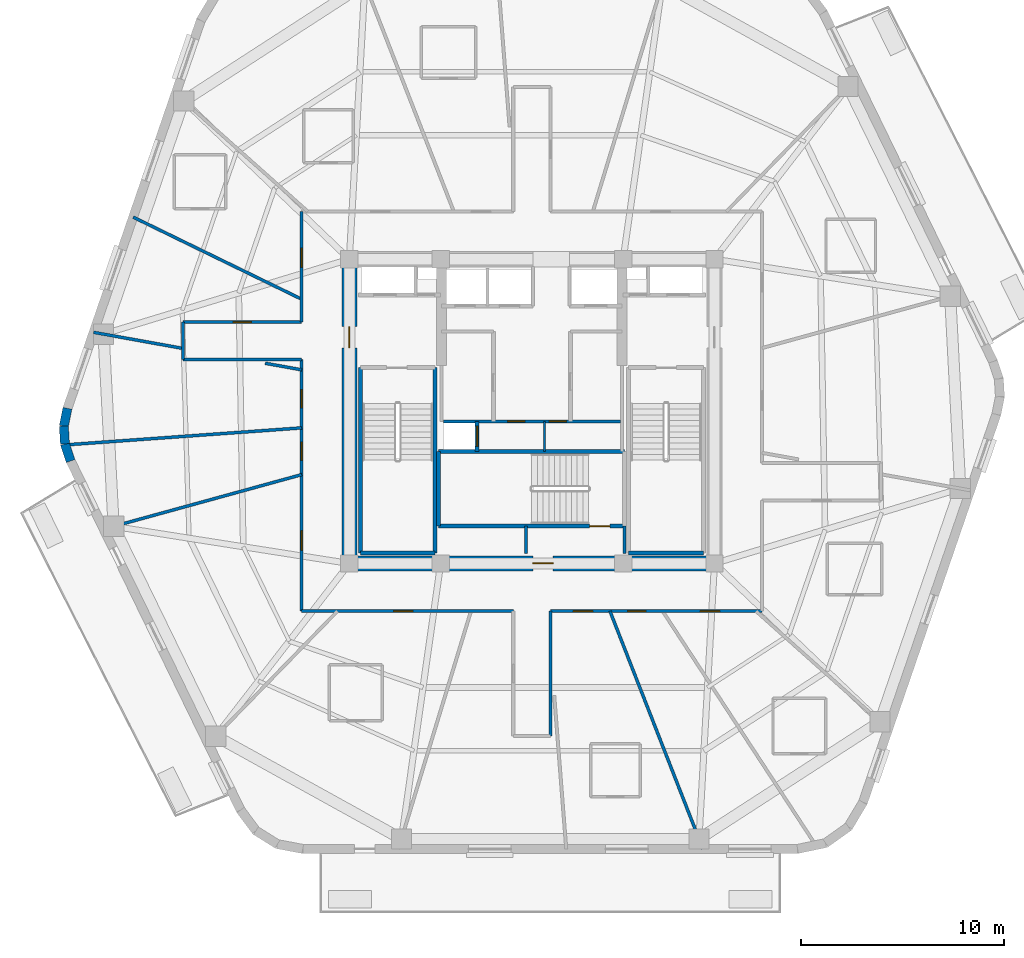
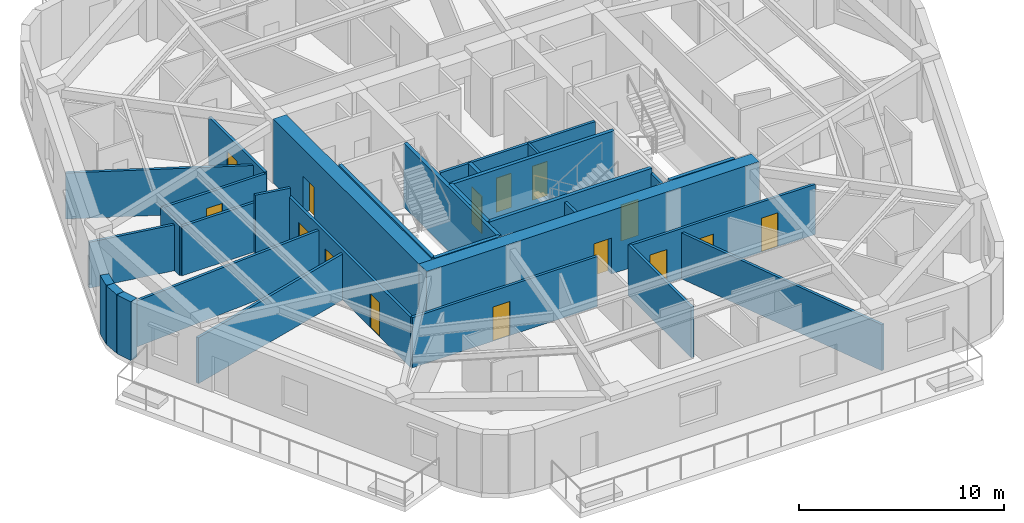
# One storey, part 3 of 10: 31 walls, 15 doors, 15 openings.
"""IFC4 building model written with IfcOpenShell, lengths in metres."""

from ifc_helpers import new_model, si_unit, direction, frame, frame_2d, origin, place, context, subcontext, project, spatial, rectangle, extrude, material, layer, layer_set, type_object, element, fill, save


model = new_model("IFC4")

# Units and contexts
model_context = context("Model", 3, precision=1e-05, world=origin(), true_north=direction((0.0, 1.0)))
body_context = subcontext(model_context, "Body", "Model", "MODEL_VIEW")
ifc_project = project(units=[si_unit("LENGTHUNIT", "METRE"), si_unit("AREAUNIT", "SQUARE_METRE"), si_unit("VOLUMEUNIT", "CUBIC_METRE"), si_unit("PLANEANGLEUNIT", "RADIAN"), si_unit("MASSUNIT", "GRAM", prefix="KILO")], contexts=[model_context])

# Site, building, storey
site_placement = place(None, origin())
site = spatial("IfcSite", under=ifc_project, at=site_placement, CompositionType="ELEMENT")
building_placement = place(site_placement, origin())
building = spatial("IfcBuilding", under=site, at=building_placement, Name="Kilnhurst Terrace Hotel", CompositionType="ELEMENT")
storey_placement = place(building_placement, frame((0.0, 0.0, 214.10009765625)))
storey = spatial("IfcBuildingStorey", under=building, at=storey_placement, Name="L53", CompositionType="ELEMENT", Elevation=214.10009765625)

# Walls
ifc_material_1 = material(Name="Precast concrete C40/50", Category="concrete")
ifc_layer_1 = layer(ifc_material_1, 0.449951171875, Name="Precast concrete C40/50")
ifc_layer_set_1 = layer_set([ifc_layer_1], Name="Precast concrete C40/50")
wall_type_1 = type_object("IfcWallType", Name="WL-BRK-450", PredefinedType="SOLIDWALL", material=ifc_layer_set_1)
wall_1_placement = place(storey_placement, frame((-22.8984375, 0.149658203125, 0.0), z_axis=(0.0, 0.0, 1.0), x_axis=(-0.199055826889, -0.979988151858, 0.0)))
element("IfcWall", 1, at=wall_1_placement, inside=storey, type_object=wall_type_1, Name="L53 Rounded Corner Brick Wall C6.1", PredefinedType="SOLIDWALL", context=body_context, shape_type="SweptSolid", body=[
    extrude(rectangle(XDim=0.89404296875, YDim=0.449951171875, at=frame_2d((0.447021484375, 0.0))), origin(), (0.0, 0.0, 1.0), 3.5),
])
wall_2_placement = place(storey_placement, frame((-23.076416015625, -0.7265625, 0.0), z_axis=(0.0, 0.0, 1.0), x_axis=(0.060805222108, -0.998149650586, 0.0)))
element("IfcWall", 2, at=wall_2_placement, inside=storey, type_object=wall_type_1, Name="L53 Rounded Corner Brick Wall C6.2", PredefinedType="SOLIDWALL", context=body_context, shape_type="SweptSolid", body=[
    extrude(rectangle(XDim=0.87939453125, YDim=0.449951171875, at=frame_2d((0.439697265625, 0.0))), origin(), (0.0, 0.0, 1.0), 3.5),
])
wall_3_placement = place(storey_placement, frame((-23.02294921875, -1.604248046875, 0.0), z_axis=(0.0, 0.0, 1.0), x_axis=(0.316801227695, -0.948491951537, 0.0)))
element("IfcWall", 3, at=wall_3_placement, inside=storey, type_object=wall_type_1, Name="L53 Rounded Corner Brick Wall C6.3", PredefinedType="SOLIDWALL", context=body_context, shape_type="SweptSolid", body=[
    extrude(rectangle(XDim=0.89404296875, YDim=0.449951171875, at=frame_2d((0.447021484375, 0.0))), origin(), (0.0, 0.0, 1.0), 3.5),
])

# Wall, openings, doors
ifc_material_2 = material(Name="Acoustic Double-Gypsum Corridor Partition Assembly")
ifc_layer_2 = layer(ifc_material_2, 0.14990234375, Name="Acoustic Double-Gypsum Corridor Partition Assembly")
ifc_layer_set_2 = layer_set([ifc_layer_2], Name="Acoustic Double-Gypsum Corridor Partition Assembly")
wall_type_2 = type_object("IfcWallType", Name="WL-COR-150", PredefinedType="PARTITIONING", material=ifc_layer_set_2)
wall_4_placement = place(storey_placement, frame((-11.35009765625, -9.85009765625, 0.0), z_axis=(0.0, 0.0, 1.0), x_axis=(0.0, 1.0, 0.0)))
wall_4 = element("IfcWall", 4, at=wall_4_placement, inside=storey, type_object=wall_type_2, Name="L53 Interior Wall WL-L53-COR-01", PredefinedType="PARTITIONING", context=body_context, shape_type="SweptSolid", body=[
    extrude(rectangle(XDim=12.400146484375, YDim=0.14990234375, at=frame_2d((6.2001953125, 0.0))), origin(), (0.0, 0.0, 1.0), 2.989990234375),
])
opening_1_placement = place(wall_4_placement, frame((10.01708984375, 0.0, 0.0)))
opening_1 = element("IfcOpeningElement", 5, at=opening_1_placement, cuts=wall_4, Name="Opening D-60C", PredefinedType="OPENING", context=body_context, shape_type="SweptSolid", body=[
    extrude(rectangle(XDim=0.89990234375, YDim=2.030029296875, at=frame_2d((0.449951171875, 1.01513671875))), frame((0.0, 0.0849609375, 0.0), z_axis=(0.0, -1.0, 0.0), x_axis=(1.0, 0.0, 0.0)), (0.0, 0.0, 1.0), 0.169921875),
])
opening_2_placement = place(wall_4_placement, frame((7.427001953125, 0.0, 0.0)))
opening_2 = element("IfcOpeningElement", 6, at=opening_2_placement, cuts=wall_4, Name="Opening D-60C", PredefinedType="OPENING", context=body_context, shape_type="SweptSolid", body=[
    extrude(rectangle(XDim=0.89990234375, YDim=2.030029296875, at=frame_2d((0.449951171875, 1.01513671875))), frame((0.0, 0.0849609375, 0.0), z_axis=(0.0, -1.0, 0.0), x_axis=(1.0, 0.0, 0.0)), (0.0, 0.0, 1.0), 0.169921875),
])
opening_3_placement = place(wall_4_placement, frame((3.010009765625, 0.0, 0.0)))
opening_3 = element("IfcOpeningElement", 7, at=opening_3_placement, cuts=wall_4, Name="Opening D-60B", PredefinedType="OPENING", context=body_context, shape_type="SweptSolid", body=[
    extrude(rectangle(XDim=0.949951171875, YDim=2.030029296875, at=frame_2d((0.47509765625, 1.01513671875))), frame((0.0, 0.0849609375, 0.0), z_axis=(0.0, -1.0, 0.0), x_axis=(1.0, 0.0, 0.0)), (0.0, 0.0, 1.0), 0.169921875),
])
ifc_material_3 = material(Name="Painted Solid-Core Service Fire Door")
door_type_1 = type_object("IfcDoorType", Name="DR-FD60-900", OperationType="NOTDEFINED", PredefinedType="DOOR", material=ifc_material_3)
door_1_placement = place(opening_1_placement, origin())
door_1 = element("IfcDoor", 8, at=door_1_placement, inside=storey, type_object=door_type_1, Name="L53 Botanical Reading Lounge Door 8", OperationType="SINGLE_SWING_RIGHT", OverallHeight=2.030029296875, OverallWidth=0.89990234375, PredefinedType="DOOR", context=body_context, shape_type="SweptSolid", body=[
    extrude(rectangle(XDim=0.89990234375, YDim=2.030029296875, at=frame_2d((0.449951171875, 1.01513671875))), frame((0.0, 0.02490234375, 0.0), z_axis=(0.0, -1.0, 0.0), x_axis=(1.0, 0.0, 0.0)), (0.0, 0.0, 1.0), 0.050048828125),
])
fill(opening_1, door_1)
door_2_placement = place(opening_2_placement, origin())
door_2 = element("IfcDoor", 9, at=door_2_placement, inside=storey, type_object=door_type_1, Name="L53 Private Meeting Salon Door 9", OperationType="SINGLE_SWING_LEFT", OverallHeight=2.030029296875, OverallWidth=0.89990234375, PredefinedType="DOOR", context=body_context, shape_type="SweptSolid", body=[
    extrude(rectangle(XDim=0.89990234375, YDim=2.030029296875, at=frame_2d((0.449951171875, 1.01513671875))), frame((0.0, 0.02490234375, 0.0), z_axis=(0.0, -1.0, 0.0), x_axis=(1.0, 0.0, 0.0)), (0.0, 0.0, 1.0), 0.050048828125),
])
fill(opening_2, door_2)
ifc_material_4 = material(Name="Acoustic Walnut Veneer Solid-Core Fire Door")
door_type_2 = type_object("IfcDoorType", Name="DR-FD60-950", OperationType="NOTDEFINED", PredefinedType="DOOR", material=ifc_material_4)
door_3_placement = place(opening_3_placement, origin())
door_3 = element("IfcDoor", 10, at=door_3_placement, inside=storey, type_object=door_type_2, Name="L53 Wellness Treatment Suite Door", OperationType="SINGLE_SWING_RIGHT", OverallHeight=2.030029296875, OverallWidth=0.949951171875, PredefinedType="DOOR", context=body_context, shape_type="SweptSolid", body=[
    extrude(rectangle(XDim=0.949951171875, YDim=2.030029296875, at=frame_2d((0.47509765625, 1.01513671875))), frame((0.0, 0.02490234375, 0.0), z_axis=(0.0, -1.0, 0.0), x_axis=(1.0, 0.0, 0.0)), (0.0, 0.0, 1.0), 0.050048828125),
])
fill(opening_3, door_3)

# Walls
wall_5_placement = place(storey_placement, frame((-11.35009765625, 2.550048828125, 0.0), z_axis=(0.0, 0.0, 1.0), x_axis=(-1.0, 0.0, 0.0)))
element("IfcWall", 11, at=wall_5_placement, inside=storey, type_object=wall_type_2, Name="L53 Interior Wall WL-L53-COR-02", PredefinedType="PARTITIONING", context=body_context, shape_type="SweptSolid", body=[
    extrude(rectangle(XDim=5.849853515625, YDim=0.14990234375, at=frame_2d((2.9248046875, 0.0))), origin(), (0.0, 0.0, 1.0), 2.940185546875),
])
wall_6_placement = place(storey_placement, frame((-17.199951171875, 2.550048828125, 0.0), z_axis=(0.0, 0.0, 1.0), x_axis=(0.0, 1.0, 0.0)))
element("IfcWall", 12, at=wall_6_placement, inside=storey, type_object=wall_type_2, Name="L53 Interior Wall WL-L53-COR-03", PredefinedType="PARTITIONING", context=body_context, shape_type="SweptSolid", body=[
    extrude(rectangle(XDim=1.849853515625, YDim=0.14990234375, at=frame_2d((0.9248046875, 0.0))), origin(), (0.0, 0.0, 1.0), 2.940185546875),
])

# Wall, opening, door
wall_7_placement = place(storey_placement, frame((-17.199951171875, 4.39990234375, 0.0), z_axis=(0.0, 0.0, 1.0), x_axis=(1.0, 0.0, 0.0)))
wall_7 = element("IfcWall", 13, at=wall_7_placement, inside=storey, type_object=wall_type_2, Name="L53 Interior Wall WL-L53-COR-04", PredefinedType="PARTITIONING", context=body_context, shape_type="SweptSolid", body=[
    extrude(rectangle(XDim=5.849853515625, YDim=0.14990234375, at=frame_2d((2.9248046875, 0.0))), origin(), (0.0, 0.0, 1.0), 2.940185546875),
])
opening_4_placement = place(wall_7_placement, frame((2.47509765625, 0.0, 0.0)))
opening_4 = element("IfcOpeningElement", 14, at=opening_4_placement, cuts=wall_7, Name="Opening D-60C", PredefinedType="OPENING", context=body_context, shape_type="SweptSolid", body=[
    extrude(rectangle(XDim=0.89990234375, YDim=2.030029296875, at=frame_2d((0.449951171875, 1.01513671875))), frame((0.0, 0.0849609375, 0.0), z_axis=(0.0, -1.0, 0.0), x_axis=(1.0, 0.0, 0.0)), (0.0, 0.0, 1.0), 0.169921875),
])
door_4_placement = place(opening_4_placement, origin())
door_4 = element("IfcDoor", 15, at=door_4_placement, inside=storey, type_object=door_type_1, Name="L53 Executive Work Office Door 7", OperationType="SINGLE_SWING_LEFT", OverallHeight=2.030029296875, OverallWidth=0.89990234375, PredefinedType="DOOR", context=body_context, shape_type="SweptSolid", body=[
    extrude(rectangle(XDim=0.89990234375, YDim=2.030029296875, at=frame_2d((0.449951171875, 1.01513671875))), frame((0.0, 0.02490234375, 0.0), z_axis=(0.0, -1.0, 0.0), x_axis=(1.0, 0.0, 0.0)), (0.0, 0.0, 1.0), 0.050048828125),
])
fill(opening_4, door_4)

wall_8_placement = place(storey_placement, frame((-11.35009765625, 4.39990234375, 0.0), z_axis=(0.0, 0.0, 1.0), x_axis=(0.0, 1.0, 0.0)))
wall_8 = element("IfcWall", 16, at=wall_8_placement, inside=storey, type_object=wall_type_2, Name="L53 Interior Wall WL-L53-COR-05", PredefinedType="PARTITIONING", context=body_context, shape_type="SweptSolid", body=[
    extrude(rectangle(XDim=5.4501953125, YDim=0.14990234375, at=frame_2d((2.72509765625, 0.0))), origin(), (0.0, 0.0, 1.0), 2.989990234375),
])
opening_5_placement = place(wall_8_placement, frame((2.694091796875, 0.0, 0.0)))
opening_5 = element("IfcOpeningElement", 17, at=opening_5_placement, cuts=wall_8, Name="Opening D-60B", PredefinedType="OPENING", context=body_context, shape_type="SweptSolid", body=[
    extrude(rectangle(XDim=0.949951171875, YDim=2.030029296875, at=frame_2d((0.47509765625, 1.01513671875))), frame((0.0, 0.0849609375, 0.0), z_axis=(0.0, -1.0, 0.0), x_axis=(1.0, 0.0, 0.0)), (0.0, 0.0, 1.0), 0.169921875),
])
door_5_placement = place(opening_5_placement, origin())
door_5 = element("IfcDoor", 18, at=door_5_placement, inside=storey, type_object=door_type_2, Name="L53 Guest Room Entry Door 6", OperationType="SINGLE_SWING_RIGHT", OverallHeight=2.030029296875, OverallWidth=0.949951171875, PredefinedType="DOOR", context=body_context, shape_type="SweptSolid", body=[
    extrude(rectangle(XDim=0.949951171875, YDim=2.030029296875, at=frame_2d((0.47509765625, 1.01513671875))), frame((0.0, 0.02490234375, 0.0), z_axis=(0.0, -1.0, 0.0), x_axis=(1.0, 0.0, 0.0)), (0.0, 0.0, 1.0), 0.050048828125),
])
fill(opening_5, door_5)

# Wall, openings, doors
wall_9_placement = place(storey_placement, frame((11.35009765625, -9.85009765625, 0.0), z_axis=(0.0, 0.0, 1.0), x_axis=(-1.0, 0.0, 0.0)))
wall_9 = element("IfcWall", 19, at=wall_9_placement, inside=storey, type_object=wall_type_2, Name="L53 Interior Wall WL-L53-COR-16", PredefinedType="PARTITIONING", context=body_context, shape_type="SweptSolid", body=[
    extrude(rectangle(XDim=10.43017578125, YDim=0.14990234375, at=frame_2d((5.215087890625, 0.0))), origin(), (0.0, 0.0, 1.0), 2.989990234375),
])
opening_6_placement = place(wall_9_placement, frame((8.362060546875, 0.0, 0.0)))
opening_6 = element("IfcOpeningElement", 20, at=opening_6_placement, cuts=wall_9, Name="Opening D-60B", PredefinedType="OPENING", context=body_context, shape_type="SweptSolid", body=[
    extrude(rectangle(XDim=0.949951171875, YDim=2.030029296875, at=frame_2d((0.47509765625, 1.01513671875))), frame((0.0, 0.0849609375, 0.0), z_axis=(0.0, -1.0, 0.0), x_axis=(1.0, 0.0, 0.0)), (0.0, 0.0, 1.0), 0.169921875),
])
opening_7_placement = place(wall_9_placement, frame((5.72998046875, 0.0, 0.0)))
opening_7 = element("IfcOpeningElement", 21, at=opening_7_placement, cuts=wall_9, Name="Opening D-60C", PredefinedType="OPENING", context=body_context, shape_type="SweptSolid", body=[
    extrude(rectangle(XDim=0.89990234375, YDim=2.030029296875, at=frame_2d((0.449951171875, 1.01513671875))), frame((0.0, 0.0849609375, 0.0), z_axis=(0.0, -1.0, 0.0), x_axis=(1.0, 0.0, 0.0)), (0.0, 0.0, 1.0), 0.169921875),
])
opening_8_placement = place(wall_9_placement, frame((2.097900390625, 0.0, 0.0)))
opening_8 = element("IfcOpeningElement", 22, at=opening_8_placement, cuts=wall_9, Name="Opening D-60B", PredefinedType="OPENING", context=body_context, shape_type="SweptSolid", body=[
    extrude(rectangle(XDim=0.949951171875, YDim=2.030029296875, at=frame_2d((0.47509765625, 1.01513671875))), frame((0.0, 0.0849609375, 0.0), z_axis=(0.0, -1.0, 0.0), x_axis=(1.0, 0.0, 0.0)), (0.0, 0.0, 1.0), 0.169921875),
])
door_6_placement = place(opening_7_placement, origin())
door_6 = element("IfcDoor", 23, at=door_6_placement, inside=storey, type_object=door_type_1, Name="L53 Private Tasting Dining Room Door 14", OperationType="SINGLE_SWING_RIGHT", OverallHeight=2.030029296875, OverallWidth=0.89990234375, PredefinedType="DOOR", context=body_context, shape_type="SweptSolid", body=[
    extrude(rectangle(XDim=0.89990234375, YDim=2.030029296875, at=frame_2d((0.449951171875, 1.01513671875))), frame((0.0, 0.02490234375, 0.0), z_axis=(0.0, -1.0, 0.0), x_axis=(1.0, 0.0, 0.0)), (0.0, 0.0, 1.0), 0.050048828125),
])
fill(opening_7, door_6)
door_7_placement = place(opening_6_placement, origin())
door_7 = element("IfcDoor", 24, at=door_7_placement, inside=storey, type_object=door_type_2, Name="L53 Guest Room Entry Door 13", OperationType="SINGLE_SWING_LEFT", OverallHeight=2.030029296875, OverallWidth=0.949951171875, PredefinedType="DOOR", context=body_context, shape_type="SweptSolid", body=[
    extrude(rectangle(XDim=0.949951171875, YDim=2.030029296875, at=frame_2d((0.47509765625, 1.01513671875))), frame((0.0, 0.02490234375, 0.0), z_axis=(0.0, -1.0, 0.0), x_axis=(1.0, 0.0, 0.0)), (0.0, 0.0, 1.0), 0.050048828125),
])
fill(opening_6, door_7)
door_8_placement = place(opening_8_placement, origin())
door_8 = element("IfcDoor", 25, at=door_8_placement, inside=storey, type_object=door_type_2, Name="L53 Guest Room Entry Door 15", OperationType="SINGLE_SWING_LEFT", OverallHeight=2.030029296875, OverallWidth=0.949951171875, PredefinedType="DOOR", context=body_context, shape_type="SweptSolid", body=[
    extrude(rectangle(XDim=0.949951171875, YDim=2.030029296875, at=frame_2d((0.47509765625, 1.01513671875))), frame((0.0, 0.02490234375, 0.0), z_axis=(0.0, -1.0, 0.0), x_axis=(1.0, 0.0, 0.0)), (0.0, 0.0, 1.0), 0.050048828125),
])
fill(opening_8, door_8)

# Wall
wall_10_placement = place(storey_placement, frame((0.919921875, -9.85009765625, 0.0), z_axis=(0.0, 0.0, 1.0), x_axis=(0.0, -1.0, 0.0)))
element("IfcWall", 26, at=wall_10_placement, inside=storey, type_object=wall_type_2, Name="L53 Interior Wall WL-L53-COR-17", PredefinedType="PARTITIONING", context=body_context, shape_type="SweptSolid", body=[
    extrude(rectangle(XDim=6.14990234375, YDim=0.14990234375, at=frame_2d((3.074951171875, 0.0))), origin(), (0.0, 0.0, 1.0), 3.0263671875),
])

# Wall, opening, door
wall_11_placement = place(storey_placement, frame((-0.919921875, -9.85009765625, 0.0), z_axis=(0.0, 0.0, 1.0), x_axis=(-1.0, 0.0, 0.0)))
wall_11 = element("IfcWall", 27, at=wall_11_placement, inside=storey, type_object=wall_type_2, Name="L53 Interior Wall WL-L53-COR-20", PredefinedType="PARTITIONING", context=body_context, shape_type="SweptSolid", body=[
    extrude(rectangle(XDim=10.43017578125, YDim=0.14990234375, at=frame_2d((5.215087890625, 0.0))), origin(), (0.0, 0.0, 1.0), 2.989990234375),
])
opening_9_placement = place(wall_11_placement, frame((4.948974609375, 0.0, 0.0)))
opening_9 = element("IfcOpeningElement", 28, at=opening_9_placement, cuts=wall_11, Name="Opening D-60B", PredefinedType="OPENING", context=body_context, shape_type="SweptSolid", body=[
    extrude(rectangle(XDim=0.949951171875, YDim=2.030029296875, at=frame_2d((0.47509765625, 1.01513671875))), frame((0.0, 0.0849609375, 0.0), z_axis=(0.0, -1.0, 0.0), x_axis=(1.0, 0.0, 0.0)), (0.0, 0.0, 1.0), 0.169921875),
])
door_9_placement = place(opening_9_placement, origin())
door_9 = element("IfcDoor", 29, at=door_9_placement, inside=storey, type_object=door_type_2, Name="L53 Executive Suite Entry Door 11", OperationType="SINGLE_SWING_LEFT", OverallHeight=2.030029296875, OverallWidth=0.949951171875, PredefinedType="DOOR", context=body_context, shape_type="SweptSolid", body=[
    extrude(rectangle(XDim=0.949951171875, YDim=2.030029296875, at=frame_2d((0.47509765625, 1.01513671875))), frame((0.0, 0.02490234375, 0.0), z_axis=(0.0, -1.0, 0.0), x_axis=(1.0, 0.0, 0.0)), (0.0, 0.0, 1.0), 0.050048828125),
])
fill(opening_9, door_9)

ifc_material_5 = material(Name="Concrete C60/75", Category="concrete")
ifc_layer_3 = layer(ifc_material_5, 0.75, Name="Concrete C60/75")
ifc_layer_set_3 = layer_set([ifc_layer_3], Name="Concrete C60/75")
wall_type_3 = type_object("IfcWallType", Name="WL-CORE-750", PredefinedType="SHEAR", material=ifc_layer_set_3)
wall_12_placement = place(storey_placement, frame((-9.375, -7.5, 0.0), z_axis=(0.0, 0.0, 1.0), x_axis=(1.0, 0.0, 0.0)))
wall_12 = element("IfcWall", 30, at=wall_12_placement, inside=storey, type_object=wall_type_3, Name="L53 Core South Shear Wall", PredefinedType="SHEAR", context=body_context, shape_type="SweptSolid", body=[
    extrude(rectangle(XDim=18.75, YDim=0.75, at=frame_2d((9.375, 0.0))), origin(), (0.0, 0.0, 1.0), 3.7998046875),
])
opening_10_placement = place(wall_12_placement, frame((9.425048828125, 0.0, 0.0)))
opening_10 = element("IfcOpeningElement", 31, at=opening_10_placement, cuts=wall_12, Name="Opening D-90B", PredefinedType="OPENING", context=body_context, shape_type="SweptSolid", body=[
    extrude(rectangle(XDim=1.0, YDim=2.14990234375, at=frame_2d((0.5, 1.074951171875))), frame((0.0, 0.385009765625, 0.0), z_axis=(0.0, -1.0, 0.0), x_axis=(1.0, 0.0, 0.0)), (0.0, 0.0, 1.0), 0.77001953125),
])
ifc_material_6 = material(Name="Painted Hollow Metal Steel ASTM A36 Fire Door", Category="steel")
door_type_3 = type_object("IfcDoorType", Name="DR-FD90-1000", OperationType="NOTDEFINED", PredefinedType="DOOR", material=ifc_material_6)
door_10_placement = place(opening_10_placement, origin())
door_10 = element("IfcDoor", 32, at=door_10_placement, inside=storey, type_object=door_type_3, Name="L53 Stair ST-3 Corridor Door", OperationType="SINGLE_SWING_RIGHT", OverallHeight=2.14990234375, OverallWidth=1.0, PredefinedType="DOOR", context=body_context, shape_type="SweptSolid", body=[
    extrude(rectangle(XDim=1.0, YDim=2.14990234375, at=frame_2d((0.5, 1.074951171875))), frame((0.0, 0.02490234375, 0.0), z_axis=(0.0, -1.0, 0.0), x_axis=(1.0, 0.0, 0.0)), (0.0, 0.0, 1.0), 0.050048828125),
])
fill(opening_10, door_10)

wall_13_placement = place(storey_placement, frame((-9.0, -7.125, 0.0), z_axis=(0.0, 0.0, 1.0), x_axis=(0.0, 1.0, 0.0)))
wall_13 = element("IfcWall", 33, at=wall_13_placement, inside=storey, type_object=wall_type_3, Name="L53 Core West Shear Wall", PredefinedType="SHEAR", context=body_context, shape_type="SweptSolid", body=[
    extrude(rectangle(XDim=14.25, YDim=0.75, at=frame_2d((7.125, 0.0))), origin(), (0.0, 0.0, 1.0), 3.7998046875),
])
opening_11_placement = place(wall_13_placement, frame((10.25, 0.0, 0.0)))
opening_11 = element("IfcOpeningElement", 34, at=opening_11_placement, cuts=wall_13, Name="Opening D-90A", PredefinedType="OPENING", context=body_context, shape_type="SweptSolid", body=[
    extrude(rectangle(XDim=1.050048828125, YDim=2.14990234375, at=frame_2d((0.52490234375, 1.074951171875))), frame((0.0, 0.385009765625, 0.0), z_axis=(0.0, -1.0, 0.0), x_axis=(1.0, 0.0, 0.0)), (0.0, 0.0, 1.0), 0.77001953125),
])
door_type_4 = type_object("IfcDoorType", Name="DR-FD90-1050", OperationType="NOTDEFINED", PredefinedType="DOOR", material=ifc_material_6)
door_11_placement = place(opening_11_placement, origin())
door_11 = element("IfcDoor", 35, at=door_11_placement, inside=storey, type_object=door_type_4, Name="L53 West Firefighting Lobby Door", OperationType="SINGLE_SWING_RIGHT", OverallHeight=2.14990234375, OverallWidth=1.050048828125, PredefinedType="DOOR", context=body_context, shape_type="SweptSolid", body=[
    extrude(rectangle(XDim=1.050048828125, YDim=2.14990234375, at=frame_2d((0.52490234375, 1.074951171875))), frame((0.0, 0.02490234375, 0.0), z_axis=(0.0, -1.0, 0.0), x_axis=(1.0, 0.0, 0.0)), (0.0, 0.0, 1.0), 0.050048828125),
])
fill(opening_11, door_11)

# Walls
ifc_material_7 = material(Name="STC-58 Acoustic Twin-Frame Guestroom Demising Partition")
ifc_layer_4 = layer(ifc_material_7, 0.14990234375, Name="STC-58 Acoustic Twin-Frame Guestroom Demising Partition")
ifc_layer_set_4 = layer_set([ifc_layer_4], Name="STC-58 Acoustic Twin-Frame Guestroom Demising Partition")
wall_type_4 = type_object("IfcWallType", Name="WL-DEM-150", PredefinedType="PARTITIONING", material=ifc_layer_set_4)
wall_14_placement = place(storey_placement, frame((-11.35009765625, 5.528076171875, 0.0), z_axis=(0.0, 0.0, 1.0), x_axis=(-0.899038669565, 0.437869239188, 0.0)))
element("IfcWall", 36, at=wall_14_placement, inside=storey, type_object=wall_type_4, Name="L53 Interior Wall WL-L53-DEM-MID05-07-1", PredefinedType="PARTITIONING", context=body_context, shape_type="SweptSolid", body=[
    extrude(rectangle(XDim=9.24169921875, YDim=0.14990234375, at=frame_2d((4.620849609375, 0.0))), origin(), (0.0, 0.0, 1.0), 2.739990234375),
])
wall_15_placement = place(storey_placement, frame((-11.35009765625, 2.046142578125, 0.0), z_axis=(0.0, 0.0, 1.0), x_axis=(-0.984127783205, 0.177461281195, 0.0)))
element("IfcWall", 37, at=wall_15_placement, inside=storey, type_object=wall_type_4, Name="L53 Interior Wall WL-L53-DEM-COL06-08-1", PredefinedType="PARTITIONING", context=body_context, shape_type="SweptSolid", body=[
    extrude(rectangle(XDim=1.82568359375, YDim=0.14990234375, at=frame_2d((0.912841796875, 0.0))), origin(), (0.0, 0.0, 1.0), 3.5),
])
wall_16_placement = place(storey_placement, frame((-17.199951171875, 3.1005859375, 0.0), z_axis=(0.0, 0.0, 1.0), x_axis=(-0.98413465883, 0.177423147559, 0.0)))
element("IfcWall", 38, at=wall_16_placement, inside=storey, type_object=wall_type_4, Name="L53 Interior Wall WL-L53-DEM-COL06-08-2", PredefinedType="PARTITIONING", context=body_context, shape_type="SweptSolid", body=[
    extrude(rectangle(XDim=4.481689453125, YDim=0.14990234375, at=frame_2d((2.24072265625, 0.0))), origin(), (0.0, 0.0, 1.0), 2.739990234375),
])
wall_17_placement = place(storey_placement, frame((-11.35009765625, -0.816162109375, 0.0), z_axis=(0.0, 0.0, 1.0), x_axis=(-0.997425460629, -0.071710881252, 0.0)))
element("IfcWall", 39, at=wall_17_placement, inside=storey, type_object=wall_type_4, Name="L53 Interior Wall WL-L53-DEM-MID06-09-1", PredefinedType="PARTITIONING", context=body_context, shape_type="SweptSolid", body=[
    extrude(rectangle(XDim=11.520751953125, YDim=0.14990234375, at=frame_2d((5.76025390625, 0.0))), origin(), (0.0, 0.0, 1.0), 2.739990234375),
])
wall_18_placement = place(storey_placement, frame((-11.35009765625, -3.12060546875, 0.0), z_axis=(0.0, 0.0, 1.0), x_axis=(-0.964212793822, -0.265129568758, 0.0)))
element("IfcWall", 40, at=wall_18_placement, inside=storey, type_object=wall_type_4, Name="L53 Interior Wall WL-L53-DEM-COL07-10-1", PredefinedType="PARTITIONING", context=body_context, shape_type="SweptSolid", body=[
    extrude(rectangle(XDim=10.119873046875, YDim=0.14990234375, at=frame_2d((5.06005859375, 0.0))), origin(), (0.0, 0.0, 1.0), 2.739990234375),
])
wall_19_placement = place(storey_placement, frame((3.848388671875, -9.85009765625, 0.0), z_axis=(0.0, 0.0, 1.0), x_axis=(0.363921778212, -0.931429513889, 0.0)))
element("IfcWall", 41, at=wall_19_placement, inside=storey, type_object=wall_type_4, Name="L53 Interior Wall WL-L53-DEM-COL10-14-1", PredefinedType="PARTITIONING", context=body_context, shape_type="SweptSolid", body=[
    extrude(rectangle(XDim=12.588134765625, YDim=0.14990234375, at=frame_2d((6.2939453125, 0.0))), origin(), (0.0, 0.0, 1.0), 2.739990234375),
])
ifc_material_8 = material(Name="120 mm Moisture-Resistant Tile-Backed Bathroom Partition")
ifc_layer_5 = layer(ifc_material_8, 0.1201171875, Name="120 mm Moisture-Resistant Tile-Backed Bathroom Partition")
ifc_layer_set_5 = layer_set([ifc_layer_5], Name="120 mm Moisture-Resistant Tile-Backed Bathroom Partition")
wall_type_5 = type_object("IfcWallType", Name="WL-PART-120", PredefinedType="PARTITIONING", material=ifc_layer_set_5)
wall_20_placement = place(storey_placement, frame((0.6201171875, -1.971923828125, 0.0), z_axis=(0.0, 0.0, 1.0), x_axis=(0.0, 1.0, 0.0)))
element("IfcWall", 42, at=wall_20_placement, inside=storey, type_object=wall_type_5, Name="L53 Interior Wall WL-L53-BOH-C1", PredefinedType="PARTITIONING", context=body_context, shape_type="SweptSolid", body=[
    extrude(rectangle(XDim=1.471923828125, YDim=0.1201171875, at=frame_2d((0.73583984375, 0.0))), origin(), (0.0, 0.0, 1.0), 3.5),
])
ifc_material_9 = material(Name="Fire-Rated Gypsum Shaftliner Assembly")
ifc_layer_6 = layer(ifc_material_9, 0.14990234375, Name="Fire-Rated Gypsum Shaftliner Assembly")
ifc_layer_set_6 = layer_set([ifc_layer_6], Name="Fire-Rated Gypsum Shaftliner Assembly")
wall_type_6 = type_object("IfcWallType", Name="WL-SHAFT-150", PredefinedType="PARTITIONING", material=ifc_layer_set_6)
for number, where, z_axis, x_axis, name in (
    (43, (-0.300048828125, -7.02001953125, 0.0), (0.0, 0.0, 1.0), (0.0, 1.0, 0.0), "L53 Interior Wall WL-L53-ST3-PSGW"),
    (44, (4.55810546875, -7.02001953125, 0.0), (0.0, 0.0, 1.0), (0.0, 1.0, 0.0), "L53 Interior Wall WL-L53-ST3-PSGE"),
):
    element("IfcWall", number, at=place(storey_placement, frame(where, z_axis=z_axis, x_axis=x_axis)), inside=storey, type_object=wall_type_6, Name=name, PredefinedType="PARTITIONING", context=body_context, shape_type="SweptSolid", body=[
        extrude(rectangle(XDim=1.362060546875, YDim=0.14990234375, at=frame_2d((0.68115234375, 0.0))), origin(), (0.0, 0.0, 1.0), 3.5),
    ])

# Wall, openings, doors
wall_21_placement = place(storey_placement, frame((-4.360107421875, -0.489990234375, 0.0), z_axis=(0.0, 0.0, 1.0), x_axis=(1.0, 0.0, 0.0)))
wall_21 = element("IfcWall", 45, at=wall_21_placement, inside=storey, type_object=wall_type_6, Name="L53 Interior Wall WL-L53-BOH-N", PredefinedType="PARTITIONING", context=body_context, shape_type="SweptSolid", body=[
    extrude(rectangle(XDim=8.72021484375, YDim=0.14990234375, at=frame_2d((4.360107421875, 0.0))), origin(), (0.0, 0.0, 1.0), 3.5),
])
opening_12_placement = place(wall_21_placement, frame((3.159912109375, 0.0, 0.0)))
opening_12 = element("IfcOpeningElement", 46, at=opening_12_placement, cuts=wall_21, Name="Opening D-60D", PredefinedType="OPENING", context=body_context, shape_type="SweptSolid", body=[
    extrude(rectangle(XDim=0.85009765625, YDim=2.030029296875, at=frame_2d((0.425048828125, 1.01513671875))), frame((0.0, 0.0849609375, 0.0), z_axis=(0.0, -1.0, 0.0), x_axis=(1.0, 0.0, 0.0)), (0.0, 0.0, 1.0), 0.169921875),
])
opening_13_placement = place(wall_21_placement, frame((5.2099609375, 0.0, 0.0)))
opening_13 = element("IfcOpeningElement", 47, at=opening_13_placement, cuts=wall_21, Name="Opening D-60D", PredefinedType="OPENING", context=body_context, shape_type="SweptSolid", body=[
    extrude(rectangle(XDim=0.85009765625, YDim=2.030029296875, at=frame_2d((0.425048828125, 1.01513671875))), frame((0.0, 0.0849609375, 0.0), z_axis=(0.0, -1.0, 0.0), x_axis=(1.0, 0.0, 0.0)), (0.0, 0.0, 1.0), 0.169921875),
])
ifc_material_10 = material(Name="Painted Hollow Metal Steel ASTM A36 Riser Door", Category="steel")
door_type_5 = type_object("IfcDoorType", Name="DR-FD60-850", OperationType="NOTDEFINED", PredefinedType="DOOR", material=ifc_material_10)
door_12_placement = place(opening_12_placement, origin())
door_12 = element("IfcDoor", 48, at=door_12_placement, inside=storey, type_object=door_type_5, Name="L53 Housekeeping Laundry Door", OperationType="SINGLE_SWING_LEFT", OverallHeight=2.030029296875, OverallWidth=0.85009765625, PredefinedType="DOOR", context=body_context, shape_type="SweptSolid", body=[
    extrude(rectangle(XDim=0.85009765625, YDim=2.030029296875, at=frame_2d((0.425048828125, 1.01513671875))), frame((0.0, 0.02490234375, 0.0), z_axis=(0.0, -1.0, 0.0), x_axis=(1.0, 0.0, 0.0)), (0.0, 0.0, 1.0), 0.050048828125),
])
fill(opening_12, door_12)
door_13_placement = place(opening_13_placement, origin())
door_13 = element("IfcDoor", 49, at=door_13_placement, inside=storey, type_object=door_type_5, Name="L53 Room Service Kitchen Door", OperationType="SINGLE_SWING_RIGHT", OverallHeight=2.030029296875, OverallWidth=0.85009765625, PredefinedType="DOOR", context=body_context, shape_type="SweptSolid", body=[
    extrude(rectangle(XDim=0.85009765625, YDim=2.030029296875, at=frame_2d((0.425048828125, 1.01513671875))), frame((0.0, 0.02490234375, 0.0), z_axis=(0.0, -1.0, 0.0), x_axis=(1.0, 0.0, 0.0)), (0.0, 0.0, 1.0), 0.050048828125),
])
fill(opening_13, door_13)

# Wall, opening, door
ifc_material_11 = material(Name="Autoclaved Aerated Concrete C30/37 and Gypsum Shaft Assembly", Category="concrete")
ifc_layer_7 = layer(ifc_material_11, 0.199951171875, Name="Autoclaved Aerated Concrete C30/37 and Gypsum Shaft Assembly")
ifc_layer_set_7 = layer_set([ifc_layer_7], Name="Autoclaved Aerated Concrete C30/37 and Gypsum Shaft Assembly")
wall_type_7 = type_object("IfcWallType", Name="WL-SHAFT-200", PredefinedType="PARTITIONING", material=ifc_layer_set_7)
wall_22_placement = place(storey_placement, frame((-2.699951171875, -1.971923828125, 0.0), z_axis=(0.0, 0.0, 1.0), x_axis=(0.0, 1.0, 0.0)))
wall_22 = element("IfcWall", 50, at=wall_22_placement, inside=storey, type_object=wall_type_7, Name="L53 Interior Wall WL-L53-SRV1-E", PredefinedType="PARTITIONING", context=body_context, shape_type="SweptSolid", body=[
    extrude(rectangle(XDim=1.471923828125, YDim=0.199951171875, at=frame_2d((0.73583984375, 0.0))), origin(), (0.0, 0.0, 1.0), 3.5),
])
opening_14_placement = place(wall_22_placement, frame((0.239990234375, 0.0, 0.0)))
opening_14 = element("IfcOpeningElement", 51, at=opening_14_placement, cuts=wall_22, Name="Opening LD-SV", PredefinedType="OPENING", context=body_context, shape_type="SweptSolid", body=[
    extrude(rectangle(XDim=1.0, YDim=2.199951171875, at=frame_2d((0.5, 1.10009765625))), frame((0.0, 0.10986328125, 0.0), z_axis=(0.0, -1.0, 0.0), x_axis=(1.0, 0.0, 0.0)), (0.0, 0.0, 1.0), 0.219970703125),
])
ifc_material_12 = material(Name="Bronze-Anodized Stainless Steel AISI 316L Sliding Door", Category="steel")
door_type_6 = type_object("IfcDoorType", Name="DR-LIFT-1000", OperationType="NOTDEFINED", PredefinedType="DOOR", material=ifc_material_12)
door_14_placement = place(opening_14_placement, origin())
door_14 = element("IfcDoor", 52, at=door_14_placement, inside=storey, type_object=door_type_6, Name="L53 Service Lift SRV-1 Landing Door", OperationType="SLIDING_TO_LEFT", OverallHeight=2.199951171875, OverallWidth=1.0, PredefinedType="DOOR", context=body_context, shape_type="SweptSolid", body=[
    extrude(rectangle(XDim=1.0, YDim=2.199951171875, at=frame_2d((0.5, 1.10009765625))), frame((0.0, 0.02490234375, 0.0), z_axis=(0.0, -1.0, 0.0), x_axis=(1.0, 0.0, 0.0)), (0.0, 0.0, 1.0), 0.050048828125),
])
fill(opening_14, door_14)

# Walls
ifc_material_13 = material(Name="Concrete C50/60", Category="concrete")
ifc_layer_8 = layer(ifc_material_13, 0.199951171875, Name="Concrete C50/60")
ifc_layer_set_8 = layer_set([ifc_layer_8], Name="Concrete C50/60")
wall_type_8 = type_object("IfcWallType", Name="WL-STAIR-RC-200", PredefinedType="SHEAR", material=ifc_layer_set_8)
for number, where, z_axis, x_axis, name in (
    (53, (-8.4580078125, -6.985107421875, 0.0), (0.0, 0.0, 1.0), (0.0, 1.0, 0.0), "L53 Structural Stair Shaft Wall WL-L53-ST1-W"),
    (54, (-4.77197265625, -6.985107421875, 0.0), (0.0, 0.0, 1.0), (0.0, 1.0, 0.0), "L53 Structural Stair Shaft Wall WL-L53-ST1-E"),
):
    element("IfcWall", number, at=place(storey_placement, frame(where, z_axis=z_axis, x_axis=x_axis)), inside=storey, type_object=wall_type_8, Name=name, PredefinedType="SHEAR", context=body_context, shape_type="SweptSolid", body=[
        extrude(rectangle(XDim=9.14306640625, YDim=0.199951171875, at=frame_2d((4.571533203125, 0.0))), origin(), (0.0, 0.0, 1.0), 3.7998046875),
    ])
for number, where, z_axis, x_axis, name in (
    (55, (-8.4580078125, -6.985107421875, 0.0), (0.0, 0.0, 1.0), (1.0, 0.0, 0.0), "L53 Structural Stair Shaft Wall WL-L53-ST1-S"),
    (56, (4.77197265625, -6.985107421875, 0.0), (0.0, 0.0, 1.0), (1.0, 0.0, 0.0), "L53 Structural Stair Shaft Wall WL-L53-ST2-S"),
    (57, (-4.60791015625, -5.657958984375, 0.0), (0.0, 0.0, 1.0), (0.0, 1.0, 0.0), "L53 Structural Stair Shaft Wall WL-L53-ST3-W"),
):
    element("IfcWall", number, at=place(storey_placement, frame(where, z_axis=z_axis, x_axis=x_axis)), inside=storey, type_object=wall_type_8, Name=name, PredefinedType="SHEAR", context=body_context, shape_type="SweptSolid", body=[
        extrude(rectangle(XDim=3.68603515625, YDim=0.199951171875, at=frame_2d((1.843017578125, 0.0))), origin(), (0.0, 0.0, 1.0), 3.7998046875),
    ])

# Wall, opening, door
wall_23_placement = place(storey_placement, frame((-4.60791015625, -5.657958984375, 0.0), z_axis=(0.0, 0.0, 1.0), x_axis=(1.0, 0.0, 0.0)))
wall_23 = element("IfcWall", 58, at=wall_23_placement, inside=storey, type_object=wall_type_8, Name="L53 Structural Stair Shaft Wall WL-L53-ST3-S", PredefinedType="SHEAR", context=body_context, shape_type="SweptSolid", body=[
    extrude(rectangle(XDim=9.166015625, YDim=0.199951171875, at=frame_2d((4.5830078125, 0.0))), origin(), (0.0, 0.0, 1.0), 3.7998046875),
])
opening_15_placement = place(wall_23_placement, frame((7.449951171875, 0.0, 0.0)))
opening_15 = element("IfcOpeningElement", 59, at=opening_15_placement, cuts=wall_23, Name="Opening D-90B", PredefinedType="OPENING", context=body_context, shape_type="SweptSolid", body=[
    extrude(rectangle(XDim=1.0, YDim=2.14990234375, at=frame_2d((0.5, 1.074951171875))), frame((0.0, 0.10986328125, 0.0), z_axis=(0.0, -1.0, 0.0), x_axis=(1.0, 0.0, 0.0)), (0.0, 0.0, 1.0), 0.219970703125),
])
door_15_placement = place(opening_15_placement, origin())
door_15 = element("IfcDoor", 60, at=door_15_placement, inside=storey, type_object=door_type_3, Name="L53 Stair ST-3 Shaft Door", OperationType="SINGLE_SWING_LEFT", OverallHeight=2.14990234375, OverallWidth=1.0, PredefinedType="DOOR", context=body_context, shape_type="SweptSolid", body=[
    extrude(rectangle(XDim=1.0, YDim=2.14990234375, at=frame_2d((0.5, 1.074951171875))), frame((0.0, 0.02490234375, 0.0), z_axis=(0.0, -1.0, 0.0), x_axis=(1.0, 0.0, 0.0)), (0.0, 0.0, 1.0), 0.050048828125),
])
fill(opening_15, door_15)

# Wall
wall_24_placement = place(storey_placement, frame((-4.60791015625, -1.971923828125, 0.0), z_axis=(0.0, 0.0, 1.0), x_axis=(1.0, 0.0, 0.0)))
element("IfcWall", 61, at=wall_24_placement, inside=storey, type_object=wall_type_8, Name="L53 Structural Stair Shaft Wall WL-L53-ST3-N", PredefinedType="SHEAR", context=body_context, shape_type="SweptSolid", body=[
    extrude(rectangle(XDim=9.166015625, YDim=0.199951171875, at=frame_2d((4.5830078125, 0.0))), origin(), (0.0, 0.0, 1.0), 3.7998046875),
])

save(model, "model.ifc")
